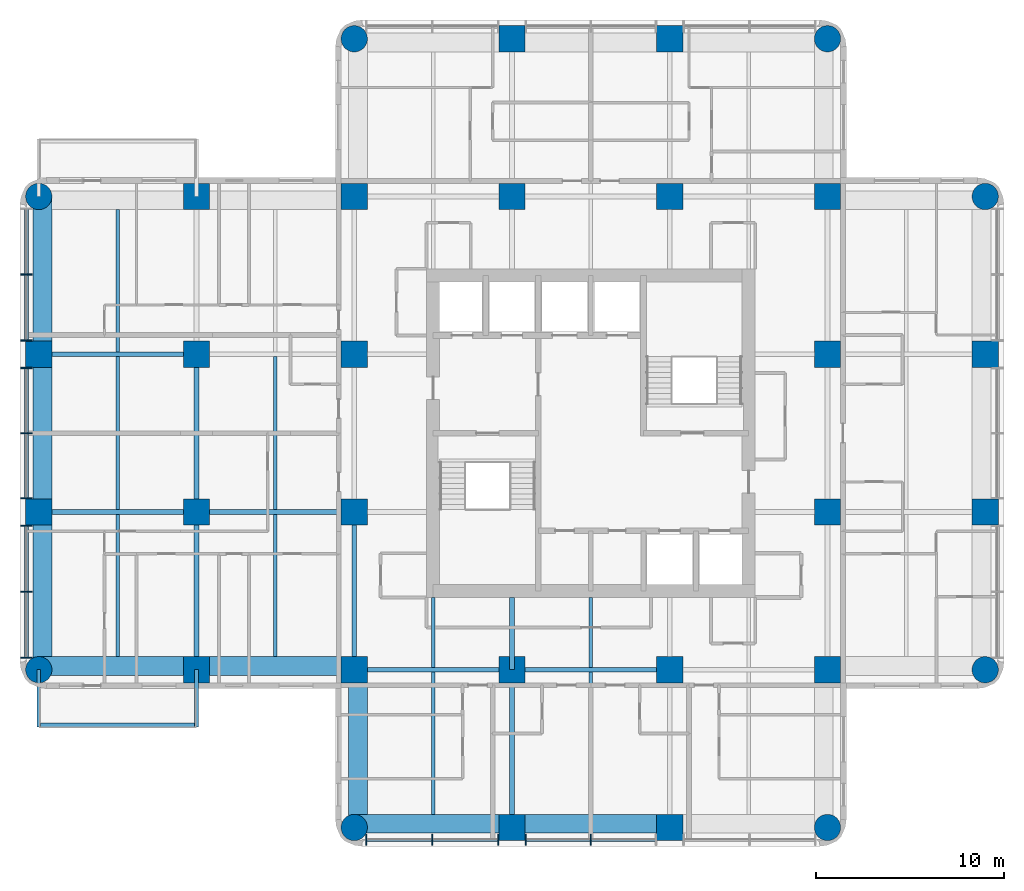
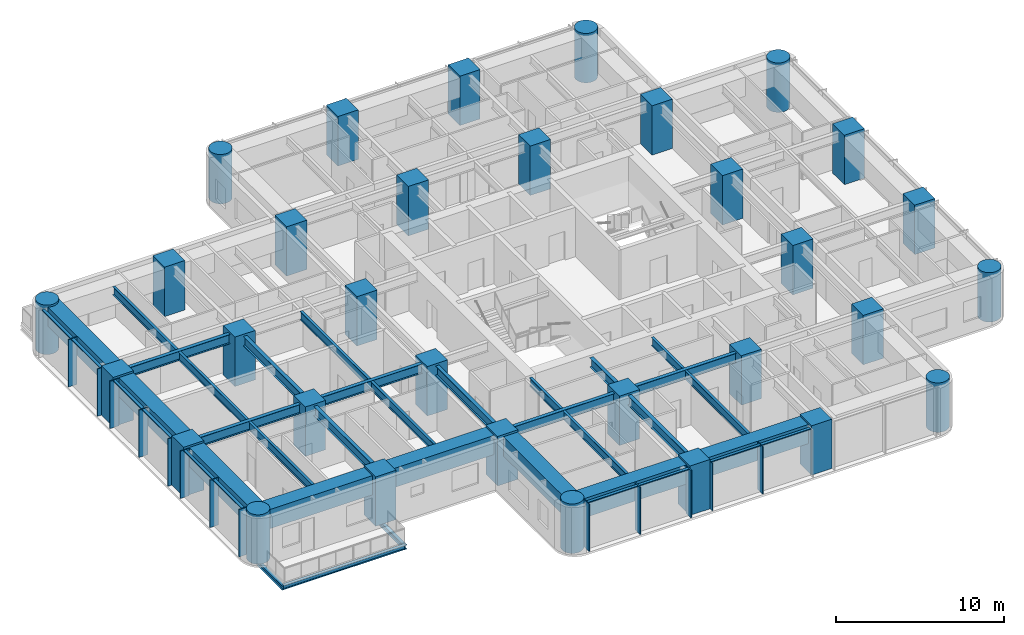
# One storey, part 1 of 11: 32 columns, 30 beams, 23 members, 2 elements without a shape of their own.
"""IFC4 building model written with IfcOpenShell, lengths in metres."""

from ifc_helpers import new_model, si_unit, direction, frame, origin, origin_2d, place, context, subcontext, project, spatial, rectangle, circle, i_section, extrude, material, material_profile, profile_set, type_object, element, aggregate, save


model = new_model("IFC4")

# Units and contexts
model_context = context("Model", 3, precision=1e-05, world=origin(), true_north=direction((0.0, 1.0)))
body_context = subcontext(model_context, "Body", "Model", "MODEL_VIEW")
ifc_project = project(units=[si_unit("LENGTHUNIT", "METRE"), si_unit("AREAUNIT", "SQUARE_METRE"), si_unit("VOLUMEUNIT", "CUBIC_METRE"), si_unit("PLANEANGLEUNIT", "RADIAN"), si_unit("MASSUNIT", "GRAM", prefix="KILO")], contexts=[model_context])

# Site, building, storey
site_placement = place(None, origin())
site = spatial("IfcSite", under=ifc_project, at=site_placement, CompositionType="ELEMENT")
building_placement = place(site_placement, origin())
building = spatial("IfcBuilding", under=site, at=building_placement, Name="Torre Alcanfor", CompositionType="ELEMENT")
storey_placement = place(building_placement, frame((0.0, 0.0, 237.300048828125)))
storey = spatial("IfcBuildingStorey", under=building, at=storey_placement, Name="L62", CompositionType="ELEMENT", Elevation=237.300048828125)

# Columns
ifc_material_1 = material(Name="Concrete f'c 70 MPa", Category="concrete")
ifc_material_profile_1 = material_profile(ifc_material_1, rectangle(XDim=1.39990234375, YDim=1.39990234375, at=origin_2d()), Name="1400x1400")
ifc_profile_set_1 = profile_set([ifc_material_profile_1], Name="Concrete f'c 70 MPa")
column_type_1 = type_object("IfcColumnType", Name="RC column 1400x1400 f'c70", PredefinedType="COLUMN", material=ifc_profile_set_1)
for number, where, z_axis, x_axis, name in (
    (1, (0.0, 25.199951171875, 0.0), (0.0, 0.0, 1.0), (1.0, 0.0, 0.0), "Column 1/F L62"),
    (2, (0.0, 33.60009765625, 0.0), (0.0, 0.0, 1.0), (1.0, 0.0, 0.0), "Column 1/G L62"),
    (3, (8.39990234375, 16.800048828125, 0.0), (0.0, 0.0, 1.0), (1.0, 0.0, 0.0), "Column 2/E L62"),
    (4, (8.39990234375, 25.199951171875, 0.0), (0.0, 0.0, 1.0), (1.0, 0.0, 0.0), "Column 2/F L62"),
    (5, (8.39990234375, 33.60009765625, 0.0), (0.0, 0.0, 1.0), (1.0, 0.0, 0.0), "Column 2/G L62"),
    (6, (8.39990234375, 42.0, 0.0), (0.0, 0.0, 1.0), (1.0, 0.0, 0.0), "Column 2/H L62"),
    (7, (16.800048828125, 16.800048828125, 0.0), (0.0, 0.0, 1.0), (1.0, 0.0, 0.0), "Column 3/E L62"),
    (8, (16.800048828125, 25.199951171875, 0.0), (0.0, 0.0, 1.0), (1.0, 0.0, 0.0), "Column 3/F L62"),
    (9, (16.800048828125, 33.60009765625, 0.0), (0.0, 0.0, 1.0), (1.0, 0.0, 0.0), "Column 3/G L62"),
    (10, (16.800048828125, 42.0, 0.0), (0.0, 0.0, 1.0), (1.0, 0.0, 0.0), "Column 3/H L62"),
    (11, (25.199951171875, 8.39990234375, 0.0), (0.0, 0.0, 1.0), (1.0, 0.0, 0.0), "Column 4/D L62"),
    (12, (25.199951171875, 16.800048828125, 0.0), (0.0, 0.0, 1.0), (1.0, 0.0, 0.0), "Column 4/E L62"),
    (13, (25.199951171875, 42.0, 0.0), (0.0, 0.0, 1.0), (1.0, 0.0, 0.0), "Column 4/H L62"),
    (14, (25.199951171875, 50.39990234375, 0.0), (0.0, 0.0, 1.0), (1.0, 0.0, 0.0), "Column 4/J L62"),
    (15, (33.60009765625, 8.39990234375, 0.0), (0.0, 0.0, 1.0), (1.0, 0.0, 0.0), "Column 5/D L62"),
    (16, (33.60009765625, 16.800048828125, 0.0), (0.0, 0.0, 1.0), (1.0, 0.0, 0.0), "Column 5/E L62"),
    (17, (33.60009765625, 42.0, 0.0), (0.0, 0.0, 1.0), (1.0, 0.0, 0.0), "Column 5/H L62"),
    (18, (33.60009765625, 50.39990234375, 0.0), (0.0, 0.0, 1.0), (1.0, 0.0, 0.0), "Column 5/J L62"),
    (19, (42.0, 16.800048828125, 0.0), (0.0, 0.0, 1.0), (1.0, 0.0, 0.0), "Column 6/E L62"),
    (20, (42.0, 25.199951171875, 0.0), (0.0, 0.0, 1.0), (1.0, 0.0, 0.0), "Column 6/F L62"),
    (21, (42.0, 33.60009765625, 0.0), (0.0, 0.0, 1.0), (1.0, 0.0, 0.0), "Column 6/G L62"),
    (22, (42.0, 42.0, 0.0), (0.0, 0.0, 1.0), (1.0, 0.0, 0.0), "Column 6/H L62"),
    (23, (50.39990234375, 25.199951171875, 0.0), (0.0, 0.0, 1.0), (1.0, 0.0, 0.0), "Column 7/F L62"),
    (24, (50.39990234375, 33.60009765625, 0.0), (0.0, 0.0, 1.0), (1.0, 0.0, 0.0), "Column 7/G L62"),
):
    element("IfcColumn", number, at=place(storey_placement, frame(where, z_axis=z_axis, x_axis=x_axis)), inside=storey, type_object=column_type_1, Name=name, PredefinedType="COLUMN", context=body_context, shape_type="SweptSolid", body=[
        extrude(rectangle(XDim=1.39990234375, YDim=1.39990234375, at=origin_2d()), origin(), (0.0, 0.0, 1.0), 3.599853515625),
    ])
ifc_material_2 = material(Name="Concrete f'c 70 MPa", Category="concrete")
ifc_material_profile_2 = material_profile(ifc_material_2, circle(Radius=0.699951171875, at=origin_2d()), Name="D1400")
ifc_profile_set_2 = profile_set([ifc_material_profile_2], Name="Concrete f'c 70 MPa")
column_type_2 = type_object("IfcColumnType", Name="RC column D1400 f'c70", PredefinedType="COLUMN", material=ifc_profile_set_2)
for number, where, z_axis, x_axis, name in (
    (25, (0.0, 16.800048828125, 0.0), (0.0, 0.0, 1.0), (1.0, 0.0, 0.0), "Column 1/E L62"),
    (26, (0.0, 42.0, 0.0), (0.0, 0.0, 1.0), (1.0, 0.0, 0.0), "Column 1/H L62"),
    (27, (16.800048828125, 8.39990234375, 0.0), (0.0, 0.0, 1.0), (1.0, 0.0, 0.0), "Column 3/D L62"),
    (28, (16.800048828125, 50.39990234375, 0.0), (0.0, 0.0, 1.0), (1.0, 0.0, 0.0), "Column 3/J L62"),
    (29, (42.0, 8.39990234375, 0.0), (0.0, 0.0, 1.0), (1.0, 0.0, 0.0), "Column 6/D L62"),
    (30, (42.0, 50.39990234375, 0.0), (0.0, 0.0, 1.0), (1.0, 0.0, 0.0), "Column 6/J L62"),
    (31, (50.39990234375, 16.800048828125, 0.0), (0.0, 0.0, 1.0), (1.0, 0.0, 0.0), "Column 7/E L62"),
    (32, (50.39990234375, 42.0, 0.0), (0.0, 0.0, 1.0), (1.0, 0.0, 0.0), "Column 7/H L62"),
):
    element("IfcColumn", number, at=place(storey_placement, frame(where, z_axis=z_axis, x_axis=x_axis)), inside=storey, type_object=column_type_2, Name=name, PredefinedType="COLUMN", context=body_context, shape_type="SweptSolid", body=[
        extrude(circle(Radius=0.699951171875, at=origin_2d()), origin(), (0.0, 0.0, 1.0), 3.599853515625),
    ])

# Beams
ifc_material_3 = material(Name="Steel ASTM A992 Grade 50", Category="steel")
ifc_material_profile_3 = material_profile(ifc_material_3, i_section(OverallWidth=0.205322265625, OverallDepth=0.309814453125, WebThickness=0.00927734375, FlangeThickness=0.016357421875, at=origin_2d()), Name="W12x50")
ifc_profile_set_3 = profile_set([ifc_material_profile_3], Name="Steel ASTM A992 Grade 50")
beam_type_1 = type_object("IfcBeamType", Name="Balcony cantilever beam W12x50", PredefinedType="BEAM", material=ifc_profile_set_3)
for number, where, z_axis, x_axis, name in (
    (33, (8.39990234375, 16.800048828125, -0.35498046875), (0.0, -1.0, 0.0), (1.0, 0.0, 0.0), "Balcony cantilever beam L62-W1 1"),
    (34, (0.0, 16.800048828125, -0.35498046875), (0.0, -1.0, 0.0), (1.0, 0.0, 0.0), "Balcony cantilever beam L62-W1 2"),
):
    element("IfcBeam", number, at=place(storey_placement, frame(where, z_axis=z_axis, x_axis=x_axis)), inside=storey, type_object=beam_type_1, Name=name, PredefinedType="BEAM", context=body_context, shape_type="SweptSolid", body=[
        extrude(i_section(OverallWidth=0.205322265625, OverallDepth=0.309814453125, WebThickness=0.00927734375, FlangeThickness=0.016357421875, at=origin_2d()), origin(), (0.0, 0.0, 1.0), 3.050048828125),
    ])
ifc_material_4 = material(Name="Steel ASTM A992 Grade 50", Category="steel")
ifc_material_profile_4 = material_profile(ifc_material_4, i_section(OverallWidth=0.203369140625, OverallDepth=0.30224609375, WebThickness=0.007568359375, FlangeThickness=0.01318359375, at=origin_2d()), Name="W12x40")
ifc_profile_set_4 = profile_set([ifc_material_profile_4], Name="Steel ASTM A992 Grade 50")
beam_type_2 = type_object("IfcBeamType", Name="Balcony edge trimmer W12x40", PredefinedType="BEAM", material=ifc_profile_set_4)
beam_1_placement = place(storey_placement, frame((8.39990234375, 13.851806640625, -0.35107421875), z_axis=(-1.0, 0.0, 0.0), x_axis=(0.0, -1.0, 0.0)))
element("IfcBeam", 35, at=beam_1_placement, inside=storey, type_object=beam_type_2, Name="Balcony edge trimmer L62-W1", PredefinedType="BEAM", context=body_context, shape_type="SweptSolid", body=[
    extrude(i_section(OverallWidth=0.203369140625, OverallDepth=0.30224609375, WebThickness=0.007568359375, FlangeThickness=0.01318359375, at=origin_2d()), origin(), (0.0, 0.0, 1.0), 8.39990234375),
])

# Curtain wall, members
ifc_material_5 = material(Name="Aluminium and glass", Category="aluminium")
curtain_wall_type = type_object("IfcCurtainWallType", Name="CW-A unitised apartment glazing with vertical FIN", PredefinedType="NOTDEFINED", material=ifc_material_5)
curtain_wall_1_placement = place(storey_placement, origin())
curtain_wall_1 = element("IfcCurtainWall", 36, at=curtain_wall_1_placement, inside=storey, type_object=curtain_wall_type, Name="Curtain wall CW-A L62 2", PredefinedType="NOTDEFINED")
ifc_material_6 = material(Name="Bronze anodised aluminium", Category="aluminium")
ifc_material_profile_5 = material_profile(ifc_material_6, rectangle(XDim=0.60009765625, YDim=0.06494140625, at=origin_2d()), Name="CW-A mullion 65x600")
ifc_profile_set_5 = profile_set([ifc_material_profile_5], Name="Bronze anodised aluminium")
member_type_1 = type_object("IfcMemberType", Name="CW-A mullion with vertical FIN 65x600", PredefinedType="MULLION", material=ifc_profile_set_5)
member_1_placement = place(storey_placement, frame((-0.64990234375, 37.846435546875, 0.0), z_axis=(0.0, 0.0, 1.0), x_axis=(1.0, 0.0, 0.0)))
member_1 = element("IfcMember", 37, at=member_1_placement, type_object=member_type_1, Name="CW-A mullion 1.2", PredefinedType="MULLION", context=body_context, shape_type="SweptSolid", body=[
    extrude(rectangle(XDim=0.60009765625, YDim=0.06494140625, at=origin_2d()), origin(), (0.0, 0.0, 1.0), 3.449951171875),
])
member_2_placement = place(storey_placement, frame((-0.64990234375, 34.33740234375, 0.0), z_axis=(0.0, 0.0, 1.0), x_axis=(1.0, 0.0, 0.0)))
member_2 = element("IfcMember", 38, at=member_2_placement, type_object=member_type_1, Name="CW-A mullion 1.3", PredefinedType="MULLION", context=body_context, shape_type="SweptSolid", body=[
    extrude(rectangle(XDim=0.60009765625, YDim=0.06494140625, at=origin_2d()), origin(), (0.0, 0.0, 1.0), 3.449951171875),
])
member_3_placement = place(storey_placement, frame((-0.64990234375, 32.862548828125, 0.0), z_axis=(0.0, 0.0, 1.0), x_axis=(1.0, 0.0, 0.0)))
member_3 = element("IfcMember", 39, at=member_3_placement, type_object=member_type_1, Name="CW-A mullion 2.1", PredefinedType="MULLION", context=body_context, shape_type="SweptSolid", body=[
    extrude(rectangle(XDim=0.60009765625, YDim=0.06494140625, at=origin_2d()), origin(), (0.0, 0.0, 1.0), 3.449951171875),
])
member_4_placement = place(storey_placement, frame((-0.64990234375, 29.39990234375, 0.0), z_axis=(0.0, 0.0, 1.0), x_axis=(1.0, 0.0, 0.0)))
member_4 = element("IfcMember", 40, at=member_4_placement, type_object=member_type_1, Name="CW-A mullion 2.2", PredefinedType="MULLION", context=body_context, shape_type="SweptSolid", body=[
    extrude(rectangle(XDim=0.60009765625, YDim=0.06494140625, at=origin_2d()), origin(), (0.0, 0.0, 1.0), 3.449951171875),
])
member_5_placement = place(storey_placement, frame((-0.64990234375, 25.9375, 0.0), z_axis=(0.0, 0.0, 1.0), x_axis=(1.0, 0.0, 0.0)))
member_5 = element("IfcMember", 41, at=member_5_placement, type_object=member_type_1, Name="CW-A mullion 2.3", PredefinedType="MULLION", context=body_context, shape_type="SweptSolid", body=[
    extrude(rectangle(XDim=0.60009765625, YDim=0.06494140625, at=origin_2d()), origin(), (0.0, 0.0, 1.0), 3.449951171875),
])
member_6_placement = place(storey_placement, frame((-0.64990234375, 24.46240234375, 0.0), z_axis=(0.0, 0.0, 1.0), x_axis=(1.0, 0.0, 0.0)))
member_6 = element("IfcMember", 42, at=member_6_placement, type_object=member_type_1, Name="CW-A mullion 3.1", PredefinedType="MULLION", context=body_context, shape_type="SweptSolid", body=[
    extrude(rectangle(XDim=0.60009765625, YDim=0.06494140625, at=origin_2d()), origin(), (0.0, 0.0, 1.0), 3.449951171875),
])
member_7_placement = place(storey_placement, frame((-0.64990234375, 20.95361328125, 0.0), z_axis=(0.0, 0.0, 1.0), x_axis=(1.0, 0.0, 0.0)))
member_7 = element("IfcMember", 43, at=member_7_placement, type_object=member_type_1, Name="CW-A mullion 3.2", PredefinedType="MULLION", context=body_context, shape_type="SweptSolid", body=[
    extrude(rectangle(XDim=0.60009765625, YDim=0.06494140625, at=origin_2d()), origin(), (0.0, 0.0, 1.0), 3.449951171875),
])
member_8_placement = place(storey_placement, frame((-0.64990234375, 17.444580078125, 0.0), z_axis=(0.0, 0.0, 1.0), x_axis=(1.0, 0.0, 0.0)))
member_8 = element("IfcMember", 44, at=member_8_placement, type_object=member_type_1, Name="CW-A mullion 3.3", PredefinedType="MULLION", context=body_context, shape_type="SweptSolid", body=[
    extrude(rectangle(XDim=0.60009765625, YDim=0.06494140625, at=origin_2d()), origin(), (0.0, 0.0, 1.0), 3.449951171875),
])

curtain_wall_2_placement = place(storey_placement, origin())
curtain_wall_2 = element("IfcCurtainWall", 45, at=curtain_wall_2_placement, inside=storey, type_object=curtain_wall_type, Name="Curtain wall CW-A L62 5", PredefinedType="NOTDEFINED")
member_9_placement = place(storey_placement, frame((17.444580078125, 7.75, 0.0), z_axis=(0.0, 0.0, 1.0), x_axis=(0.0, 1.0, 0.0)))
member_9 = element("IfcMember", 46, at=member_9_placement, type_object=member_type_1, Name="CW-A mullion 1.1", PredefinedType="MULLION", context=body_context, shape_type="SweptSolid", body=[
    extrude(rectangle(XDim=0.60009765625, YDim=0.06494140625, at=origin_2d()), origin(), (0.0, 0.0, 1.0), 3.449951171875),
])
member_10_placement = place(storey_placement, frame((20.95361328125, 7.75, 0.0), z_axis=(0.0, 0.0, 1.0), x_axis=(0.0, 1.0, 0.0)))
member_10 = element("IfcMember", 47, at=member_10_placement, type_object=member_type_1, Name="CW-A mullion 1.2", PredefinedType="MULLION", context=body_context, shape_type="SweptSolid", body=[
    extrude(rectangle(XDim=0.60009765625, YDim=0.06494140625, at=origin_2d()), origin(), (0.0, 0.0, 1.0), 3.449951171875),
])
member_11_placement = place(storey_placement, frame((24.46240234375, 7.75, 0.0), z_axis=(0.0, 0.0, 1.0), x_axis=(0.0, 1.0, 0.0)))
member_11 = element("IfcMember", 48, at=member_11_placement, type_object=member_type_1, Name="CW-A mullion 1.3", PredefinedType="MULLION", context=body_context, shape_type="SweptSolid", body=[
    extrude(rectangle(XDim=0.60009765625, YDim=0.06494140625, at=origin_2d()), origin(), (0.0, 0.0, 1.0), 3.449951171875),
])
member_12_placement = place(storey_placement, frame((25.9375, 7.75, 0.0), z_axis=(0.0, 0.0, 1.0), x_axis=(0.0, 1.0, 0.0)))
member_12 = element("IfcMember", 49, at=member_12_placement, type_object=member_type_1, Name="CW-A mullion 2.1", PredefinedType="MULLION", context=body_context, shape_type="SweptSolid", body=[
    extrude(rectangle(XDim=0.60009765625, YDim=0.06494140625, at=origin_2d()), origin(), (0.0, 0.0, 1.0), 3.449951171875),
])
member_13_placement = place(storey_placement, frame((29.39990234375, 7.75, 0.0), z_axis=(0.0, 0.0, 1.0), x_axis=(0.0, 1.0, 0.0)))
member_13 = element("IfcMember", 50, at=member_13_placement, type_object=member_type_1, Name="CW-A mullion 2.2", PredefinedType="MULLION", context=body_context, shape_type="SweptSolid", body=[
    extrude(rectangle(XDim=0.60009765625, YDim=0.06494140625, at=origin_2d()), origin(), (0.0, 0.0, 1.0), 3.449951171875),
])

# Member
ifc_material_7 = material(Name="Extruded aluminium", Category="aluminium")
ifc_material_profile_6 = material_profile(ifc_material_7, rectangle(XDim=0.199951171875, YDim=0.06494140625, at=origin_2d()), Name="CW-A transom 200x65")
ifc_profile_set_6 = profile_set([ifc_material_profile_6], Name="Extruded aluminium")
member_type_2 = type_object("IfcMemberType", Name="CW-A transom 65x200", PredefinedType="USERDEFINED", material=ifc_profile_set_6)
member_14_placement = place(storey_placement, frame((-0.64990234375, 41.322998046875, 3.41748046875), z_axis=(0.0, -1.0, 0.0), x_axis=(1.0, 0.0, 0.0)))
member_14 = element("IfcMember", 51, at=member_14_placement, type_object=member_type_2, Name="CW-A transom 1.1.2", ObjectType="TRANSOM", PredefinedType="USERDEFINED", context=body_context, shape_type="SweptSolid", body=[
    extrude(rectangle(XDim=0.199951171875, YDim=0.06494140625, at=origin_2d()), origin(), (0.0, 0.0, 1.0), 3.444091796875),
])

member_15_placement = place(storey_placement, frame((-0.64990234375, 37.81396484375, 3.41748046875), z_axis=(0.0, -1.0, 0.0), x_axis=(1.0, 0.0, 0.0)))
member_15 = element("IfcMember", 52, at=member_15_placement, type_object=member_type_2, Name="CW-A transom 1.2.2", ObjectType="TRANSOM", PredefinedType="USERDEFINED", context=body_context, shape_type="SweptSolid", body=[
    extrude(rectangle(XDim=0.199951171875, YDim=0.06494140625, at=origin_2d()), origin(), (0.0, 0.0, 1.0), 3.44384765625),
])

member_16_placement = place(storey_placement, frame((-0.64990234375, 32.830078125, 3.41748046875), z_axis=(0.0, -1.0, 0.0), x_axis=(1.0, 0.0, 0.0)))
member_16 = element("IfcMember", 53, at=member_16_placement, type_object=member_type_2, Name="CW-A transom 2.1.2", ObjectType="TRANSOM", PredefinedType="USERDEFINED", context=body_context, shape_type="SweptSolid", body=[
    extrude(rectangle(XDim=0.199951171875, YDim=0.06494140625, at=origin_2d()), origin(), (0.0, 0.0, 1.0), 3.3974609375),
])

member_17_placement = place(storey_placement, frame((-0.64990234375, 29.367431640625, 3.41748046875), z_axis=(0.0, -1.0, 0.0), x_axis=(1.0, 0.0, 0.0)))
member_17 = element("IfcMember", 54, at=member_17_placement, type_object=member_type_2, Name="CW-A transom 2.2.2", ObjectType="TRANSOM", PredefinedType="USERDEFINED", context=body_context, shape_type="SweptSolid", body=[
    extrude(rectangle(XDim=0.199951171875, YDim=0.06494140625, at=origin_2d()), origin(), (0.0, 0.0, 1.0), 3.3974609375),
])

member_18_placement = place(storey_placement, frame((-0.64990234375, 24.429931640625, 3.41748046875), z_axis=(0.0, -1.0, 0.0), x_axis=(1.0, 0.0, 0.0)))
member_18 = element("IfcMember", 55, at=member_18_placement, type_object=member_type_2, Name="CW-A transom 3.1.2", ObjectType="TRANSOM", PredefinedType="USERDEFINED", context=body_context, shape_type="SweptSolid", body=[
    extrude(rectangle(XDim=0.199951171875, YDim=0.06494140625, at=origin_2d()), origin(), (0.0, 0.0, 1.0), 3.44384765625),
])

member_19_placement = place(storey_placement, frame((-0.64990234375, 20.9208984375, 3.41748046875), z_axis=(0.0, -1.0, 0.0), x_axis=(1.0, 0.0, 0.0)))
member_19 = element("IfcMember", 56, at=member_19_placement, type_object=member_type_2, Name="CW-A transom 3.2.2", ObjectType="TRANSOM", PredefinedType="USERDEFINED", context=body_context, shape_type="SweptSolid", body=[
    extrude(rectangle(XDim=0.199951171875, YDim=0.06494140625, at=origin_2d()), origin(), (0.0, 0.0, 1.0), 3.44384765625),
])

aggregate(curtain_wall_1, [member_1, member_2, member_14, member_15, member_3, member_4, member_5, member_16, member_17, member_6, member_7, member_8, member_18, member_19])

member_20_placement = place(storey_placement, frame((17.47705078125, 7.75, 3.41748046875), z_axis=(1.0, 0.0, 0.0), x_axis=(0.0, 1.0, 0.0)))
member_20 = element("IfcMember", 57, at=member_20_placement, type_object=member_type_2, Name="CW-A transom 1.1.2", ObjectType="TRANSOM", PredefinedType="USERDEFINED", context=body_context, shape_type="SweptSolid", body=[
    extrude(rectangle(XDim=0.199951171875, YDim=0.06494140625, at=origin_2d()), origin(), (0.0, 0.0, 1.0), 3.44384765625),
])

member_21_placement = place(storey_placement, frame((20.986083984375, 7.75, 3.41748046875), z_axis=(1.0, 0.0, 0.0), x_axis=(0.0, 1.0, 0.0)))
member_21 = element("IfcMember", 58, at=member_21_placement, type_object=member_type_2, Name="CW-A transom 1.2.2", ObjectType="TRANSOM", PredefinedType="USERDEFINED", context=body_context, shape_type="SweptSolid", body=[
    extrude(rectangle(XDim=0.199951171875, YDim=0.06494140625, at=origin_2d()), origin(), (0.0, 0.0, 1.0), 3.44384765625),
])

member_22_placement = place(storey_placement, frame((25.969970703125, 7.75, 3.41748046875), z_axis=(1.0, 0.0, 0.0), x_axis=(0.0, 1.0, 0.0)))
member_22 = element("IfcMember", 59, at=member_22_placement, type_object=member_type_2, Name="CW-A transom 2.1.2", ObjectType="TRANSOM", PredefinedType="USERDEFINED", context=body_context, shape_type="SweptSolid", body=[
    extrude(rectangle(XDim=0.199951171875, YDim=0.06494140625, at=origin_2d()), origin(), (0.0, 0.0, 1.0), 3.3974609375),
])

member_23_placement = place(storey_placement, frame((29.4326171875, 7.75, 3.41748046875), z_axis=(1.0, 0.0, 0.0), x_axis=(0.0, 1.0, 0.0)))
member_23 = element("IfcMember", 60, at=member_23_placement, type_object=member_type_2, Name="CW-A transom 2.2.2", ObjectType="TRANSOM", PredefinedType="USERDEFINED", context=body_context, shape_type="SweptSolid", body=[
    extrude(rectangle(XDim=0.199951171875, YDim=0.06494140625, at=origin_2d()), origin(), (0.0, 0.0, 1.0), 3.3974609375),
])

aggregate(curtain_wall_2, [member_9, member_10, member_11, member_20, member_21, member_12, member_13, member_22, member_23])

# Beams
ifc_material_8 = material(Name="Steel ASTM A992 Grade 50", Category="steel")
ifc_material_profile_7 = material_profile(ifc_material_8, i_section(OverallWidth=0.25390625, OverallDepth=0.683349609375, WebThickness=0.012451171875, FlangeThickness=0.01904296875, at=origin_2d()), Name="W27x94")
ifc_profile_set_7 = profile_set([ifc_material_profile_7], Name="Steel ASTM A992 Grade 50")
beam_type_3 = type_object("IfcBeamType", Name="Girder W27x94", PredefinedType="BEAM", material=ifc_profile_set_7)
beam_2_placement = place(storey_placement, frame((16.800048828125, 16.800048828125, 3.1083984375), z_axis=(1.0, 0.0, 0.0), x_axis=(0.0, 1.0, 0.0)))
element("IfcBeam", 61, at=beam_2_placement, inside=storey, type_object=beam_type_3, Name="Beam 3E-4E under L63", PredefinedType="BEAM", context=body_context, shape_type="SweptSolid", body=[
    extrude(i_section(OverallWidth=0.25390625, OverallDepth=0.683349609375, WebThickness=0.012451171875, FlangeThickness=0.01904296875, at=origin_2d()), origin(), (0.0, 0.0, 1.0), 8.39990234375),
])
beam_3_placement = place(storey_placement, frame((25.199951171875, 16.800048828125, 3.1083984375), z_axis=(1.0, 0.0, 0.0), x_axis=(0.0, 1.0, 0.0)))
element("IfcBeam", 62, at=beam_3_placement, inside=storey, type_object=beam_type_3, Name="Beam 4E-5E under L63", PredefinedType="BEAM", context=body_context, shape_type="SweptSolid", body=[
    extrude(i_section(OverallWidth=0.25390625, OverallDepth=0.683349609375, WebThickness=0.012451171875, FlangeThickness=0.01904296875, at=origin_2d()), origin(), (0.0, 0.0, 1.0), 8.400146484375),
])
beam_4_placement = place(storey_placement, frame((0.0, 25.199951171875, 3.1083984375), z_axis=(1.0, 0.0, 0.0), x_axis=(0.0, 1.0, 0.0)))
element("IfcBeam", 63, at=beam_4_placement, inside=storey, type_object=beam_type_3, Name="Beam 1F-2F under L63", PredefinedType="BEAM", context=body_context, shape_type="SweptSolid", body=[
    extrude(i_section(OverallWidth=0.25390625, OverallDepth=0.683349609375, WebThickness=0.012451171875, FlangeThickness=0.01904296875, at=origin_2d()), origin(), (0.0, 0.0, 1.0), 8.39990234375),
])
beam_5_placement = place(storey_placement, frame((8.39990234375, 25.199951171875, 3.1083984375), z_axis=(1.0, 0.0, 0.0), x_axis=(0.0, 1.0, 0.0)))
element("IfcBeam", 64, at=beam_5_placement, inside=storey, type_object=beam_type_3, Name="Beam 2F-3F under L63", PredefinedType="BEAM", context=body_context, shape_type="SweptSolid", body=[
    extrude(i_section(OverallWidth=0.25390625, OverallDepth=0.683349609375, WebThickness=0.012451171875, FlangeThickness=0.01904296875, at=origin_2d()), origin(), (0.0, 0.0, 1.0), 8.400146484375),
])
for number, where, z_axis, x_axis, name in (
    (65, (0.0, 33.60009765625, 3.1083984375), (1.0, 0.0, 0.0), (0.0, 1.0, 0.0), "Beam 1G-2G under L63"),
    (66, (8.39990234375, 16.800048828125, 3.1083984375), (0.0, 1.0, 0.0), (-1.0, 0.0, 0.0), "Beam 2E-2F under L63"),
):
    element("IfcBeam", number, at=place(storey_placement, frame(where, z_axis=z_axis, x_axis=x_axis)), inside=storey, type_object=beam_type_3, Name=name, PredefinedType="BEAM", context=body_context, shape_type="SweptSolid", body=[
        extrude(i_section(OverallWidth=0.25390625, OverallDepth=0.683349609375, WebThickness=0.012451171875, FlangeThickness=0.01904296875, at=origin_2d()), origin(), (0.0, 0.0, 1.0), 8.39990234375),
    ])
beam_6_placement = place(storey_placement, frame((8.39990234375, 25.199951171875, 3.1083984375), z_axis=(0.0, 1.0, 0.0), x_axis=(-1.0, 0.0, 0.0)))
element("IfcBeam", 67, at=beam_6_placement, inside=storey, type_object=beam_type_3, Name="Beam 2F-2G under L63", PredefinedType="BEAM", context=body_context, shape_type="SweptSolid", body=[
    extrude(i_section(OverallWidth=0.25390625, OverallDepth=0.683349609375, WebThickness=0.012451171875, FlangeThickness=0.01904296875, at=origin_2d()), origin(), (0.0, 0.0, 1.0), 8.400146484375),
])
beam_7_placement = place(storey_placement, frame((16.800048828125, 16.800048828125, 3.1083984375), z_axis=(0.0, 1.0, 0.0), x_axis=(-1.0, 0.0, 0.0)))
element("IfcBeam", 68, at=beam_7_placement, inside=storey, type_object=beam_type_3, Name="Beam 3E-3F under L63", PredefinedType="BEAM", context=body_context, shape_type="SweptSolid", body=[
    extrude(i_section(OverallWidth=0.25390625, OverallDepth=0.683349609375, WebThickness=0.012451171875, FlangeThickness=0.01904296875, at=origin_2d()), origin(), (0.0, 0.0, 1.0), 8.39990234375),
])
beam_8_placement = place(storey_placement, frame((25.199951171875, 8.39990234375, 3.1083984375), z_axis=(0.0, 1.0, 0.0), x_axis=(-1.0, 0.0, 0.0)))
element("IfcBeam", 69, at=beam_8_placement, inside=storey, type_object=beam_type_3, Name="Beam 4D-4E under L63", PredefinedType="BEAM", context=body_context, shape_type="SweptSolid", body=[
    extrude(i_section(OverallWidth=0.25390625, OverallDepth=0.683349609375, WebThickness=0.012451171875, FlangeThickness=0.01904296875, at=origin_2d()), origin(), (0.0, 0.0, 1.0), 8.400146484375),
])
ifc_material_9 = material(Name="Steel ASTM A992 Grade 50", Category="steel")
ifc_material_profile_8 = material_profile(ifc_material_9, i_section(OverallWidth=0.25390625, OverallDepth=0.683349609375, WebThickness=0.012451171875, FlangeThickness=0.01904296875, at=origin_2d()), Name="W27x94")
ifc_profile_set_8 = profile_set([ifc_material_profile_8], Name="Steel ASTM A992 Grade 50")
beam_type_4 = type_object("IfcBeamType", Name="Girder, part bay W27x94", PredefinedType="BEAM", material=ifc_profile_set_8)
beam_9_placement = place(storey_placement, frame((25.199951171875, 16.800048828125, 3.1083984375), z_axis=(0.0, 1.0, 0.0), x_axis=(-1.0, 0.0, 0.0)))
element("IfcBeam", 70, at=beam_9_placement, inside=storey, type_object=beam_type_4, Name="Beam 4E-420_65 under L63", PredefinedType="BEAM", context=body_context, shape_type="SweptSolid", body=[
    extrude(i_section(OverallWidth=0.25390625, OverallDepth=0.683349609375, WebThickness=0.012451171875, FlangeThickness=0.01904296875, at=origin_2d()), origin(), (0.0, 0.0, 1.0), 3.849853515625),
])
ifc_material_10 = material(Name="Concrete f'c 70 MPa", Category="concrete")
ifc_material_profile_9 = material_profile(ifc_material_10, rectangle(XDim=1.0, YDim=1.39990234375, at=origin_2d()), Name="1000x1400")
ifc_profile_set_9 = profile_set([ifc_material_profile_9], Name="Concrete f'c 70 MPa")
beam_type_5 = type_object("IfcBeamType", Name="RC perimeter beam 1000x1400", PredefinedType="BEAM", material=ifc_profile_set_9)
beam_10_placement = place(storey_placement, frame((16.800048828125, 8.60009765625, 2.75), z_axis=(1.0, 0.0, 0.0), x_axis=(0.0, 1.0, 0.0)))
element("IfcBeam", 71, at=beam_10_placement, inside=storey, type_object=beam_type_5, Name="Beam 3D-4D under L63", PredefinedType="BEAM", context=body_context, shape_type="SweptSolid", body=[
    extrude(rectangle(XDim=1.0, YDim=1.39990234375, at=origin_2d()), origin(), (0.0, 0.0, 1.0), 8.27294921875),
])
beam_11_placement = place(storey_placement, frame((25.326904296875, 8.60009765625, 2.75), z_axis=(1.0, 0.0, 0.0), x_axis=(0.0, 1.0, 0.0)))
element("IfcBeam", 72, at=beam_11_placement, inside=storey, type_object=beam_type_5, Name="Beam 4D-5D under L63", PredefinedType="BEAM", context=body_context, shape_type="SweptSolid", body=[
    extrude(rectangle(XDim=1.0, YDim=1.39990234375, at=origin_2d()), origin(), (0.0, 0.0, 1.0), 8.14599609375),
])
beam_12_placement = place(storey_placement, frame((0.0, 17.0, 2.75), z_axis=(1.0, 0.0, 0.0), x_axis=(0.0, 1.0, 0.0)))
element("IfcBeam", 73, at=beam_12_placement, inside=storey, type_object=beam_type_5, Name="Beam 1E-2E under L63", PredefinedType="BEAM", context=body_context, shape_type="SweptSolid", body=[
    extrude(rectangle(XDim=1.0, YDim=1.39990234375, at=origin_2d()), origin(), (0.0, 0.0, 1.0), 8.27294921875),
])
beam_13_placement = place(storey_placement, frame((8.527099609375, 17.0, 2.75), z_axis=(1.0, 0.0, 0.0), x_axis=(0.0, 1.0, 0.0)))
element("IfcBeam", 74, at=beam_13_placement, inside=storey, type_object=beam_type_5, Name="Beam 2E-3E under L63", PredefinedType="BEAM", context=body_context, shape_type="SweptSolid", body=[
    extrude(rectangle(XDim=1.0, YDim=1.39990234375, at=origin_2d()), origin(), (0.0, 0.0, 1.0), 8.14599609375),
])
beam_14_placement = place(storey_placement, frame((0.199951171875, 16.800048828125, 2.75), z_axis=(0.0, 1.0, 0.0), x_axis=(-1.0, 0.0, 0.0)))
element("IfcBeam", 75, at=beam_14_placement, inside=storey, type_object=beam_type_5, Name="Beam 1E-1F under L63", PredefinedType="BEAM", context=body_context, shape_type="SweptSolid", body=[
    extrude(rectangle(XDim=1.0, YDim=1.39990234375, at=origin_2d()), origin(), (0.0, 0.0, 1.0), 8.27294921875),
])
beam_15_placement = place(storey_placement, frame((0.199951171875, 25.326904296875, 2.75), z_axis=(0.0, 1.0, 0.0), x_axis=(-1.0, 0.0, 0.0)))
element("IfcBeam", 76, at=beam_15_placement, inside=storey, type_object=beam_type_5, Name="Beam 1F-1G under L63", PredefinedType="BEAM", context=body_context, shape_type="SweptSolid", body=[
    extrude(rectangle(XDim=1.0, YDim=1.39990234375, at=origin_2d()), origin(), (0.0, 0.0, 1.0), 8.14599609375),
])
beam_16_placement = place(storey_placement, frame((0.199951171875, 33.72705078125, 2.75), z_axis=(0.0, 1.0, 0.0), x_axis=(-1.0, 0.0, 0.0)))
element("IfcBeam", 77, at=beam_16_placement, inside=storey, type_object=beam_type_5, Name="Beam 1G-1H under L63", PredefinedType="BEAM", context=body_context, shape_type="SweptSolid", body=[
    extrude(rectangle(XDim=1.0, YDim=1.39990234375, at=origin_2d()), origin(), (0.0, 0.0, 1.0), 8.27294921875),
])
beam_17_placement = place(storey_placement, frame((17.0, 8.39990234375, 2.75), z_axis=(0.0, 1.0, 0.0), x_axis=(-1.0, 0.0, 0.0)))
element("IfcBeam", 78, at=beam_17_placement, inside=storey, type_object=beam_type_5, Name="Beam 3D-3E under L63", PredefinedType="BEAM", context=body_context, shape_type="SweptSolid", body=[
    extrude(rectangle(XDim=1.0, YDim=1.39990234375, at=origin_2d()), origin(), (0.0, 0.0, 1.0), 8.273193359375),
])
ifc_material_11 = material(Name="Steel ASTM A992 Grade 50", Category="steel")
ifc_material_profile_10 = material_profile(ifc_material_11, i_section(OverallWidth=0.1787109375, OverallDepth=0.60205078125, WebThickness=0.010986328125, FlangeThickness=0.014892578125, at=origin_2d()), Name="W24x62")
ifc_profile_set_10 = profile_set([ifc_material_profile_10], Name="Steel ASTM A992 Grade 50")
beam_type_6 = type_object("IfcBeamType", Name="Secondary beam W24x62", PredefinedType="BEAM", material=ifc_profile_set_10)
beam_18_placement = place(storey_placement, frame((4.199951171875, 17.5, 3.14892578125), z_axis=(0.0, 1.0, 0.0), x_axis=(-1.0, 0.0, 0.0)))
element("IfcBeam", 79, at=beam_18_placement, inside=storey, type_object=beam_type_6, Name="Beam 4_2E-4_2F under L63", PredefinedType="BEAM", context=body_context, shape_type="SweptSolid", body=[
    extrude(i_section(OverallWidth=0.1787109375, OverallDepth=0.60205078125, WebThickness=0.010986328125, FlangeThickness=0.014892578125, at=origin_2d()), origin(), (0.0, 0.0, 1.0), 7.572998046875),
])
beam_19_placement = place(storey_placement, frame((4.199951171875, 25.326904296875, 3.14892578125), z_axis=(0.0, 1.0, 0.0), x_axis=(-1.0, 0.0, 0.0)))
element("IfcBeam", 80, at=beam_19_placement, inside=storey, type_object=beam_type_6, Name="Beam 4_2F-4_2G under L63", PredefinedType="BEAM", context=body_context, shape_type="SweptSolid", body=[
    extrude(i_section(OverallWidth=0.1787109375, OverallDepth=0.60205078125, WebThickness=0.010986328125, FlangeThickness=0.014892578125, at=origin_2d()), origin(), (0.0, 0.0, 1.0), 8.14599609375),
])
for number, where, z_axis, x_axis, name in (
    (81, (4.199951171875, 33.72705078125, 3.14892578125), (0.0, 1.0, 0.0), (-1.0, 0.0, 0.0), "Beam 4_2G-4_2H under L63"),
    (82, (12.60009765625, 17.5, 3.14892578125), (0.0, 1.0, 0.0), (-1.0, 0.0, 0.0), "Beam 12_6E-12_6F under L63"),
):
    element("IfcBeam", number, at=place(storey_placement, frame(where, z_axis=z_axis, x_axis=x_axis)), inside=storey, type_object=beam_type_6, Name=name, PredefinedType="BEAM", context=body_context, shape_type="SweptSolid", body=[
        extrude(i_section(OverallWidth=0.1787109375, OverallDepth=0.60205078125, WebThickness=0.010986328125, FlangeThickness=0.014892578125, at=origin_2d()), origin(), (0.0, 0.0, 1.0), 7.572998046875),
    ])
beam_20_placement = place(storey_placement, frame((12.60009765625, 25.326904296875, 3.14892578125), z_axis=(0.0, 1.0, 0.0), x_axis=(-1.0, 0.0, 0.0)))
element("IfcBeam", 83, at=beam_20_placement, inside=storey, type_object=beam_type_6, Name="Beam 12_6F-12_6G under L63", PredefinedType="BEAM", context=body_context, shape_type="SweptSolid", body=[
    extrude(i_section(OverallWidth=0.1787109375, OverallDepth=0.60205078125, WebThickness=0.010986328125, FlangeThickness=0.014892578125, at=origin_2d()), origin(), (0.0, 0.0, 1.0), 8.14599609375),
])
for number, where, z_axis, x_axis, name in (
    (84, (21.0, 9.10009765625, 3.14892578125), (0.0, 1.0, 0.0), (-1.0, 0.0, 0.0), "Beam 21D-21E under L63"),
    (85, (29.39990234375, 9.10009765625, 3.14892578125), (0.0, 1.0, 0.0), (-1.0, 0.0, 0.0), "Beam 29_4D-29_4E under L63"),
):
    element("IfcBeam", number, at=place(storey_placement, frame(where, z_axis=z_axis, x_axis=x_axis)), inside=storey, type_object=beam_type_6, Name=name, PredefinedType="BEAM", context=body_context, shape_type="SweptSolid", body=[
        extrude(i_section(OverallWidth=0.1787109375, OverallDepth=0.60205078125, WebThickness=0.010986328125, FlangeThickness=0.014892578125, at=origin_2d()), origin(), (0.0, 0.0, 1.0), 7.572998046875),
    ])
ifc_material_12 = material(Name="Steel ASTM A992 Grade 50", Category="steel")
ifc_material_profile_11 = material_profile(ifc_material_12, i_section(OverallWidth=0.1787109375, OverallDepth=0.60205078125, WebThickness=0.010986328125, FlangeThickness=0.014892578125, at=origin_2d()), Name="W24x62")
ifc_profile_set_11 = profile_set([ifc_material_profile_11], Name="Steel ASTM A992 Grade 50")
beam_type_7 = type_object("IfcBeamType", Name="Secondary beam, part bay W24x62", PredefinedType="BEAM", material=ifc_profile_set_11)
for number, where, z_axis, x_axis, name in (
    (86, (21.0, 16.927001953125, 3.14892578125), (0.0, 1.0, 0.0), (-1.0, 0.0, 0.0), "Beam 21E-2120_65 under L63"),
    (87, (29.39990234375, 16.927001953125, 3.14892578125), (0.0, 1.0, 0.0), (-1.0, 0.0, 0.0), "Beam 29_4E-29_420_65 under L63"),
):
    element("IfcBeam", number, at=place(storey_placement, frame(where, z_axis=z_axis, x_axis=x_axis)), inside=storey, type_object=beam_type_7, Name=name, PredefinedType="BEAM", context=body_context, shape_type="SweptSolid", body=[
        extrude(i_section(OverallWidth=0.1787109375, OverallDepth=0.60205078125, WebThickness=0.010986328125, FlangeThickness=0.014892578125, at=origin_2d()), origin(), (0.0, 0.0, 1.0), 3.722900390625),
    ])

save(model, "model.ifc")
